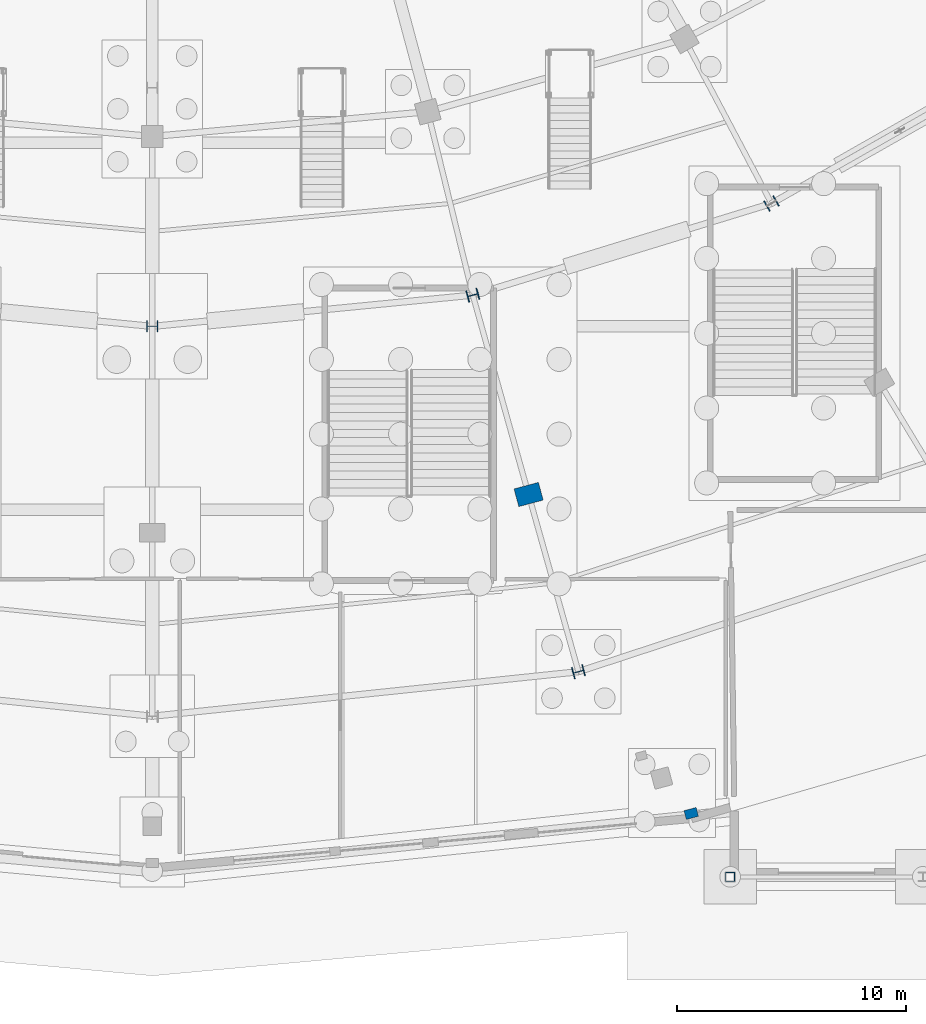
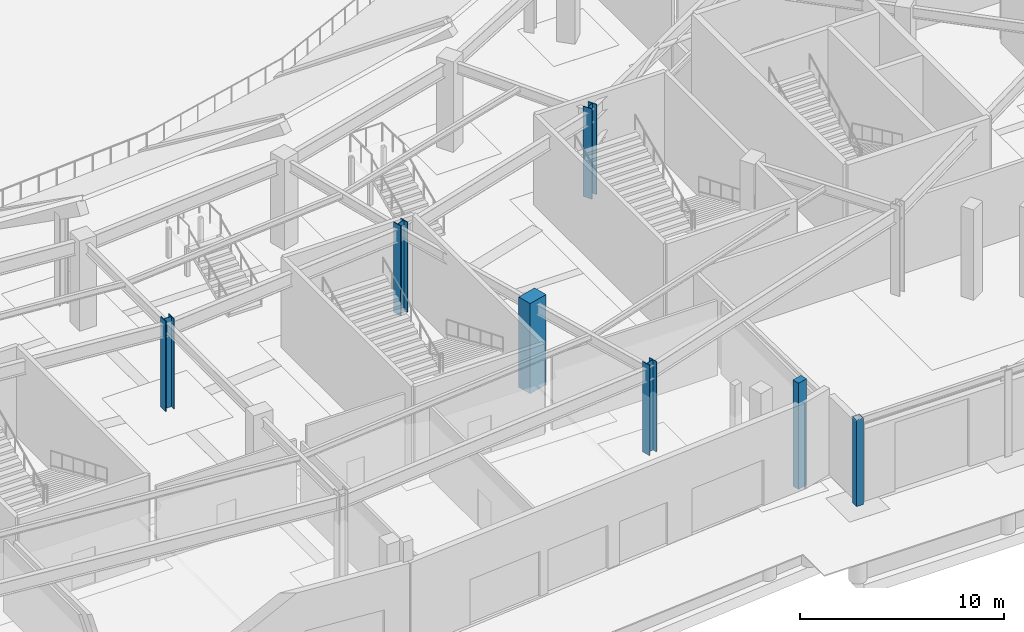
# One storey, part 15 of 93: 7 columns.
"""IFC4 building model written with IfcOpenShell, lengths in metres."""

from ifc_helpers import new_model, si_unit, direction, frame, origin, origin_2d, place, context, subcontext, project, spatial, rectangle, hollow_rectangle, i_section, extrude, material, material_profile, profile_set, type_object, element, save


model = new_model("IFC4")

# Units and contexts
model_context = context("Model", 3, precision=1e-05, world=origin(), true_north=direction((0.0, 1.0)))
body_context = subcontext(model_context, "Body", "Model", "MODEL_VIEW")
ifc_project = project(units=[si_unit("LENGTHUNIT", "METRE"), si_unit("AREAUNIT", "SQUARE_METRE"), si_unit("VOLUMEUNIT", "CUBIC_METRE"), si_unit("PLANEANGLEUNIT", "RADIAN"), si_unit("MASSUNIT", "GRAM", prefix="KILO")], contexts=[model_context])

# Site, building, storey
site_placement = place(None, origin())
site = spatial("IfcSite", under=ifc_project, at=site_placement, CompositionType="ELEMENT")
building_placement = place(site_placement, origin())
building = spatial("IfcBuilding", under=site, at=building_placement, Name="Kalgoora Escarpment Arena", CompositionType="ELEMENT")
storey_placement = place(building_placement, origin())
storey = spatial("IfcBuildingStorey", under=building, at=storey_placement, Name="L00", CompositionType="ELEMENT", Elevation=0.0)

# Columns
ifc_material_1 = material(Name="Structural steel C450 (450 MPa)", Category="steel")
ifc_material_profile_1 = material_profile(ifc_material_1, hollow_rectangle(XDim=0.39990234375, YDim=0.39990234375, WallThickness=0.01611328125, at=origin_2d()))
ifc_profile_set_1 = profile_set([ifc_material_profile_1], Name="Structural steel C450 (450 MPa)")
column_type_1 = type_object("IfcColumnType", Name="COL-COL-400x400x16.0SHS", PredefinedType="COLUMN", material=ifc_profile_set_1)
column_1_placement = place(storey_placement, frame((117.60009765625, 0.0, 0.0), z_axis=(0.0, 0.0, 1.0), x_axis=(1.0, 0.0, 0.0)))
element("IfcColumn", 1, at=column_1_placement, inside=storey, type_object=column_type_1, Name="L00 structural column COL-G15-A", PredefinedType="COLUMN", context=body_context, shape_type="SweptSolid", body=[
    extrude(hollow_rectangle(XDim=0.39990234375, YDim=0.39990234375, WallThickness=0.01611328125, at=origin_2d()), origin(), (0.0, 0.0, 1.0), 5.14990234375),
])
ifc_material_2 = material(Name="Structural steel Grade 350 (350 MPa)", Category="steel")
ifc_material_profile_2 = material_profile(ifc_material_2, i_section(OverallWidth=0.5, OverallDepth=0.5, WebThickness=0.02001953125, FlangeThickness=0.034912109375, at=origin_2d()))
ifc_profile_set_2 = profile_set([ifc_material_profile_2], Name="Structural steel Grade 350 (350 MPa)")
column_type_2 = type_object("IfcColumnType", Name="COL-COL-500WC340", PredefinedType="COLUMN", material=ifc_profile_set_2)
column_2_placement = place(storey_placement, frame((110.983154296875, 8.942138671875, 0.0), z_axis=(0.0, 0.0, 1.0), x_axis=(0.258819045103, -0.965925826289, 0.0)))
element("IfcColumn", 2, at=column_2_placement, inside=storey, type_object=column_type_2, Name="L00 structural column COL-RCONC2-R20", PredefinedType="COLUMN", context=body_context, shape_type="SweptSolid", body=[
    extrude(i_section(OverallWidth=0.5, OverallDepth=0.5, WebThickness=0.02001953125, FlangeThickness=0.034912109375, at=origin_2d()), origin(), (0.0, 0.0, 1.0), 5.39990234375),
])
ifc_material_3 = material(Name="Structural steel Grade 350 (350 MPa)", Category="steel")
ifc_material_profile_3 = material_profile(ifc_material_3, i_section(OverallWidth=0.5, OverallDepth=0.5, WebThickness=0.02490234375, FlangeThickness=0.0419921875, at=origin_2d()))
ifc_profile_set_3 = profile_set([ifc_material_profile_3], Name="Structural steel Grade 350 (350 MPa)")
column_type_3 = type_object("IfcColumnType", Name="COL-COL-500WC440", PredefinedType="COLUMN", material=ifc_profile_set_3)
for number, where, z_axis, x_axis, name in (
    (3, (92.39990234375, 24.0, 0.0), (0.0, 0.0, 1.0), (0.0, -1.0, 0.0), "L00 structural column COL-RMAIN-R19"),
    (4, (106.376220703125, 25.363037109375, 0.0), (0.0, 0.0, 1.0), (0.258819045103, -0.965925826289, 0.0), "L00 structural column COL-RMAIN-R20"),
    (5, (119.39990234375, 29.35888671875, 0.0), (0.0, 0.0, 1.0), (0.5, -0.866025403784, 0.0), "L00 structural column COL-RMAIN-R21"),
):
    element("IfcColumn", number, at=place(storey_placement, frame(where, z_axis=z_axis, x_axis=x_axis)), inside=storey, type_object=column_type_3, Name=name, PredefinedType="COLUMN", context=body_context, shape_type="SweptSolid", body=[
        extrude(i_section(OverallWidth=0.5, OverallDepth=0.5, WebThickness=0.02490234375, FlangeThickness=0.0419921875, at=origin_2d()), origin(), (0.0, 0.0, 1.0), 5.39990234375),
    ])
ifc_material_4 = material(Name="Concrete N50 (fc' 50 MPa)", Category="concrete")
ifc_material_profile_4 = material_profile(ifc_material_4, rectangle(XDim=0.800048828125, YDim=1.10009765625, at=origin_2d()))
ifc_profile_set_4 = profile_set([ifc_material_profile_4], Name="Concrete N50 (fc' 50 MPa)")
column_type_4 = type_object("IfcColumnType", Name="COL-COL-RC1100x800", PredefinedType="COLUMN", material=ifc_profile_set_4)
column_3_placement = place(storey_placement, frame((108.80908203125, 16.669677734375, 0.0), z_axis=(0.0, 0.0, 1.0), x_axis=(0.258819045103, -0.965925826289, 0.0)))
element("IfcColumn", 6, at=column_3_placement, inside=storey, type_object=column_type_4, Name="L00 structural column COL-RCONC1-R20", PredefinedType="COLUMN", context=body_context, shape_type="SweptSolid", body=[
    extrude(rectangle(XDim=0.800048828125, YDim=1.10009765625, at=origin_2d()), origin(), (0.0, 0.0, 1.0), 5.39990234375),
])
ifc_material_5 = material(Name="Precast concrete N50 (fc' 50 MPa)", Category="concrete")
ifc_material_profile_5 = material_profile(ifc_material_5, rectangle(XDim=0.39990234375, YDim=0.550048828125, at=origin_2d()))
ifc_profile_set_5 = profile_set([ifc_material_profile_5], Name="Precast concrete N50 (fc' 50 MPa)")
column_type_5 = type_object("IfcColumnType", Name="COL-PIL-PC-PILASTER-550x400", PredefinedType="PILASTER", material=ifc_profile_set_5)
column_4_placement = place(storey_placement, frame((115.90087890625, 2.760009765625, 0.0), z_axis=(0.0, 0.0, 1.0), x_axis=(0.258819045103, -0.965925826289, 0.0)))
element("IfcColumn", 7, at=column_4_placement, inside=storey, type_object=column_type_5, Name="L00 fluted pilaster PIL-041", PredefinedType="PILASTER", context=body_context, shape_type="SweptSolid", body=[
    extrude(rectangle(XDim=0.39990234375, YDim=0.550048828125, at=origin_2d()), origin(), (0.0, 0.0, 1.0), 6.35009765625),
])

save(model, "model.ifc")
